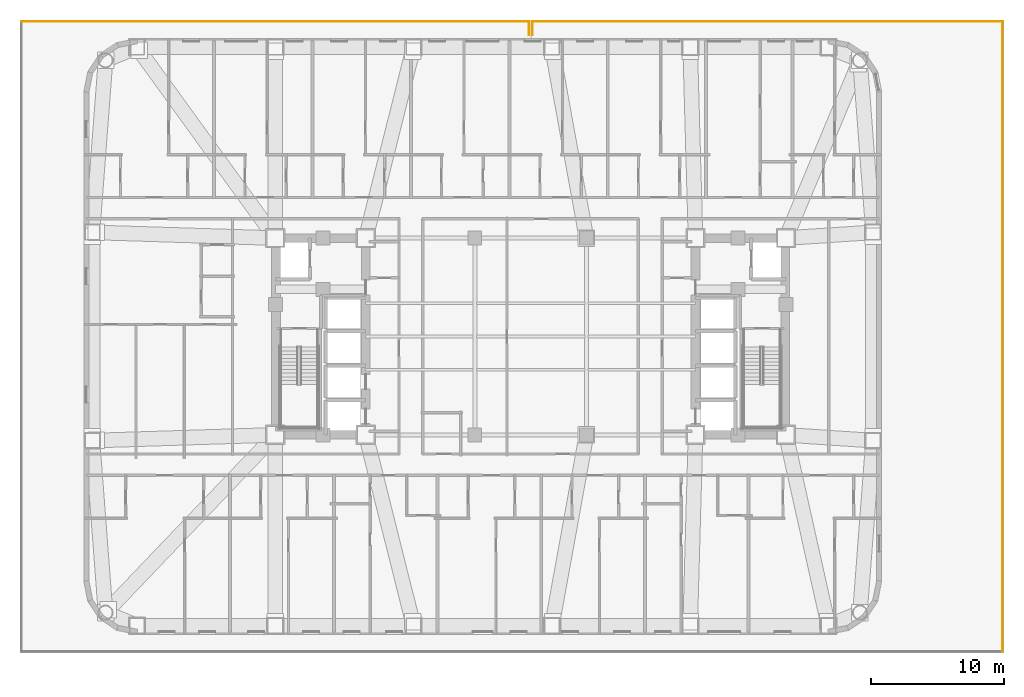
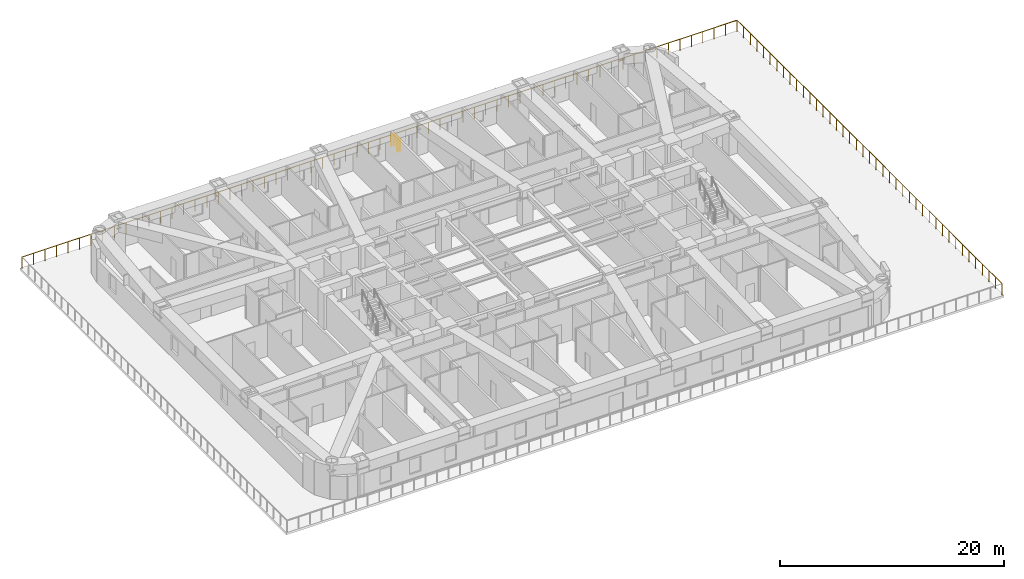
# One storey, part 15 of 15: 5 railings.
"""IFC4 building model written with IfcOpenShell, lengths in metres."""

import ifcopenshell
import ifcopenshell.guid

model = None  # the IFC model being written
_history = None  # IfcOwnerHistory: only IFC2X3 demands one
_inside = {}  # id of a spatial element -> (the spatial element, [elements in it])
_under = {}  # id of a project, library or spatial element -> (it, [spatial elements below it])
_declared = {}  # id of a project -> (the project, [libraries it declares])
_typed = {}  # id of a type object -> (the type object, [elements of that type])
_made_of = {}  # id of a material, layer set ... -> (it, [elements and type objects made of it])


def new_model(schema):
    """Start an empty IFC model of exactly this schema.

    Asked for "IFC4X3", IfcOpenShell would pick the latest addendum, in which some entities
    have other attributes; the version numbers below select the first issue.
    IFC2X3 requires an IfcOwnerHistory on every rooted entity: one is made here for all.
    """
    global model, _history
    if schema == "IFC4X3":
        model = ifcopenshell.file(schema_version=(4, 3, 0, 0))
    else:
        model = ifcopenshell.file(schema=schema)
    _inside.clear()
    _under.clear()
    _declared.clear()
    _typed.clear()
    _made_of.clear()
    _history = None
    if model.schema == "IFC2X3":
        org = make("IfcOrganization", Name="unknown")
        user = make(
            "IfcPersonAndOrganization",
            ThePerson=make("IfcPerson", FamilyName="unknown"),
            TheOrganization=org,
        )
        app = make(
            "IfcApplication",
            ApplicationDeveloper=org,
            Version="unknown",
            ApplicationFullName="unknown",
            ApplicationIdentifier="unknown",
        )
        _history = make(
            "IfcOwnerHistory",
            OwningUser=user,
            OwningApplication=app,
            ChangeAction="ADDED",
            CreationDate=0,
        )
    return model


def make(cls, **values):
    """One entity of the class cls with the attributes given. An attribute that is None is left unset."""
    return model.create_entity(
        cls, **{name: value for name, value in values.items() if value is not None}
    )


def rooted(cls, **values):
    """An entity with a GlobalId (a new one), such as an element, a storey or a relation."""
    return make(cls, GlobalId=ifcopenshell.guid.new(), OwnerHistory=_history, **values)


def si_unit(unit_type, name, prefix=None):
    """IfcSIUnit, for example si_unit("LENGTHUNIT", "METRE", prefix="MILLI")."""
    return make("IfcSIUnit", UnitType=unit_type, Prefix=prefix, Name=name)


def assignment(units):
    """IfcUnitAssignment: the units of a project."""
    return None if units is None else make("IfcUnitAssignment", Units=units)


def point(xyz):
    """IfcCartesianPoint."""
    return None if xyz is None else make("IfcCartesianPoint", Coordinates=xyz)


def direction(xyz):
    """IfcDirection."""
    return None if xyz is None else make("IfcDirection", DirectionRatios=xyz)


def frame(location, z_axis=None, x_axis=None):
    """IfcAxis2Placement3D, a coordinate frame: its origin and axes. An axis left out is left unset."""
    return make(
        "IfcAxis2Placement3D",
        Location=point(location),
        Axis=direction(z_axis),
        RefDirection=direction(x_axis),
    )


def frame_2d(location, x_axis=None):
    """IfcAxis2Placement2D, a coordinate frame in the plane: its origin and x axis."""
    return make(
        "IfcAxis2Placement2D", Location=point(location), RefDirection=direction(x_axis)
    )


def origin():
    """The frame at (0, 0, 0) with its axes left unset."""
    return frame((0.0, 0.0, 0.0))


def origin_2d():
    """The frame at (0, 0) in the plane with its x axis left unset."""
    return frame_2d((0.0, 0.0))


def place(relative_to, where):
    """IfcLocalPlacement: puts the frame where relative to a parent placement (None: the world)."""
    return make(
        "IfcLocalPlacement", PlacementRelTo=relative_to, RelativePlacement=where
    )


def context(
    kind, dimensions, precision=None, world=None, true_north=None, identifier=None
):
    """IfcGeometricRepresentationContext, for example the 3D "Model" context."""
    return make(
        "IfcGeometricRepresentationContext",
        ContextIdentifier=identifier,
        ContextType=kind,
        CoordinateSpaceDimension=dimensions,
        Precision=precision,
        WorldCoordinateSystem=world,
        TrueNorth=true_north,
    )


def subcontext(parent, identifier, kind, view, scale=None):
    """IfcGeometricRepresentationSubContext, for example "Body" below "Model"."""
    return make(
        "IfcGeometricRepresentationSubContext",
        ContextIdentifier=identifier,
        ContextType=kind,
        ParentContext=parent,
        TargetScale=scale,
        TargetView=view,
    )


def project(units=None, contexts=None):
    """IfcProject with its units and contexts."""
    return rooted(
        "IfcProject",
        Name="project",
        RepresentationContexts=contexts,
        UnitsInContext=assignment(units),
    )


def spatial(cls, under=None, at=None, **own):
    """A site, building, storey or space (cls), placed at a placement, below another one or the project."""
    s = rooted(cls, ObjectPlacement=at, **own)
    if under is not None:
        _under.setdefault(under.id(), (under, []))[1].append(s)
    return s


def profile(cls, at=None, kind="AREA", **sizes):
    """A parametric profile (cls). Its sizes go by their IFC names, for example OverallWidth=200.0."""
    return make(cls, ProfileType=kind, Position=at, **sizes)


def circle(**sizes):
    """IfcCircleProfileDef."""
    return profile("IfcCircleProfileDef", **sizes)


def extrude(swept, where, along, depth):
    """IfcExtrudedAreaSolid: the profile swept, set in the frame where, extruded along a direction by depth."""
    return make(
        "IfcExtrudedAreaSolid",
        SweptArea=swept,
        Position=where,
        ExtrudedDirection=direction(along),
        Depth=depth,
    )


def shape(context_of_items, identifier, shape_type, items):
    """IfcShapeRepresentation: the items that make up one representation, for example the "Body"."""
    return make(
        "IfcShapeRepresentation",
        ContextOfItems=context_of_items,
        RepresentationIdentifier=identifier,
        RepresentationType=shape_type,
        Items=items,
    )


def material(Name=None, Category=None):
    """IfcMaterial."""
    return make("IfcMaterial", Name=Name, Category=Category)


def made_of(thing, what):
    """Note that an element or type object is made of a material, layer set ...; save() writes the relation."""
    if what is not None:
        _made_of.setdefault(what.id(), (what, []))[1].append(thing)
    return thing


def type_object(cls, material=None, **own):
    """A type object (cls), such as IfcWallType, which elements share."""
    return made_of(rooted(cls, **own), material)


def element(
    cls,
    number,
    at=None,
    inside=None,
    cuts=None,
    type_object=None,
    material=None,
    context=None,
    identifier="Body",
    shape_type=None,
    held_by="IfcProductDefinitionShape",
    body=None,
    shapes=None,
    **own,
):
    """One element of the class cls, such as IfcWall. Its Tag is "e" and its number.

    at: its placement. inside: the storey or other place that contains it. cuts: it is an
    opening in that element (IfcRelVoidsElement). A single representation is given by context,
    identifier, shape_type and body (its items); several are given by shapes. held_by: the class
    of the entity that holds the representations. save() writes the other relations.
    """
    e = rooted(cls, Tag="e%d" % number, ObjectPlacement=at, **own)
    if body is not None:
        shapes = [shape(context, identifier, shape_type, body)]
    if shapes is not None:
        e.Representation = make(held_by, Representations=shapes)
    if inside is not None:
        _inside.setdefault(inside.id(), (inside, []))[1].append(e)
    if cuts is not None:
        rooted(
            "IfcRelVoidsElement", RelatingBuildingElement=cuts, RelatedOpeningElement=e
        )
    if type_object is not None:
        _typed.setdefault(type_object.id(), (type_object, []))[1].append(e)
    return made_of(e, material)


def aggregate(whole, parts):
    """IfcRelAggregates: a whole, such as a stair, and the parts it consists of."""
    return rooted("IfcRelAggregates", RelatingObject=whole, RelatedObjects=parts)


def save(model, path):
    """Write the relations noted so far, then the file.

    IfcRelAggregates (storeys below a building ...), IfcRelContainedInSpatialStructure (elements
    in a storey), IfcRelDefinesByType, IfcRelAssociatesMaterial and IfcRelDeclares: one each for
    every whole, place, type object, material and project.
    """
    for whole, parts in _under.values():
        aggregate(whole, parts)
    for where, things in _inside.values():
        rooted(
            "IfcRelContainedInSpatialStructure",
            RelatedElements=things,
            RelatingStructure=where,
        )
    for kind, things in _typed.values():
        rooted("IfcRelDefinesByType", RelatedObjects=things, RelatingType=kind)
    for what, things in _made_of.values():
        rooted("IfcRelAssociatesMaterial", RelatedObjects=things, RelatingMaterial=what)
    for by, libraries in _declared.values():
        rooted("IfcRelDeclares", RelatingContext=by, RelatedDefinitions=libraries)
    model.write(path)


model = new_model("IFC4")

# Units and contexts
model_context = context("Model", 3, precision=1e-05, world=origin(), true_north=direction((0.0, 1.0)))
body_context = subcontext(model_context, "Body", "Model", "MODEL_VIEW")
ifc_project = project(units=[si_unit("LENGTHUNIT", "METRE"), si_unit("AREAUNIT", "SQUARE_METRE"), si_unit("VOLUMEUNIT", "CUBIC_METRE"), si_unit("PLANEANGLEUNIT", "RADIAN"), si_unit("MASSUNIT", "GRAM", prefix="KILO")], contexts=[model_context])

# Site, building, storey
site_placement = place(None, origin())
site = spatial("IfcSite", under=ifc_project, at=site_placement, CompositionType="ELEMENT")
building_placement = place(site_placement, origin())
building = spatial("IfcBuilding", under=site, at=building_placement, Name="Voryun Gate Residences", CompositionType="ELEMENT")
storey_placement = place(building_placement, frame((0.0, 0.0, 26.0)))
storey = spatial("IfcBuildingStorey", under=building, at=storey_placement, Name="L05", CompositionType="ELEMENT", Elevation=26.0)

# Railings
ifc_material = material(Name="Anodised aluminium", Category="aluminium")
railing_type = type_object("IfcRailingType", Name="RAIL_TERRACE_GUARD_1250", PredefinedType="GUARDRAIL", material=ifc_material)
railing_1_placement = place(storey_placement, frame((-0.135009765625, 23.679931640625, 0.0)))
element("IfcRailing", 1, at=railing_1_placement, inside=storey, type_object=railing_type, Name="Terrace guard RL-L05-P1L1-01", PredefinedType="GUARDRAIL", context=body_context, shape_type="SweptSolid", body=[
    extrude(circle(Radius=0.02392578125, at=origin_2d()), frame((0.0, 0.0, 1.22607421875), z_axis=(0.0, -1.0, 0.0), x_axis=(1.0, 0.0, 0.0)), (0.0, 0.0, 1.0), 1.0),
    extrude(circle(Radius=0.02099609375, at=origin_2d()), origin(), (0.0, 0.0, 1.0), 1.201904296875),
    extrude(circle(Radius=0.02099609375, at=origin_2d()), frame((0.0, -1.0, 0.0)), (0.0, 0.0, 1.0), 1.201904296875),
])
railing_2_placement = place(storey_placement, frame((0.135009765625, 22.679931640625, 0.0)))
element("IfcRailing", 2, at=railing_2_placement, inside=storey, type_object=railing_type, Name="Terrace guard RL-L05-P1L2-01", PredefinedType="GUARDRAIL", context=body_context, shape_type="SweptSolid", body=[
    extrude(circle(Radius=0.02392578125, at=origin_2d()), frame((0.0, 0.0, 1.22607421875), z_axis=(0.0, 1.0, 0.0), x_axis=(-1.0, 0.0, 0.0)), (0.0, 0.0, 1.0), 1.0),
    extrude(circle(Radius=0.02099609375, at=origin_2d()), origin(), (0.0, 0.0, 1.0), 1.201904296875),
    extrude(circle(Radius=0.02099609375, at=origin_2d()), frame((0.0, 1.0, 0.0)), (0.0, 0.0, 1.0), 1.201904296875),
])
railing_3_placement = place(storey_placement, frame((0.135009765625, 23.679931640625, 0.0)))
element("IfcRailing", 3, at=railing_3_placement, inside=storey, type_object=railing_type, Name="Terrace guard RL-L05-P1L2-02", PredefinedType="GUARDRAIL", context=body_context, shape_type="SweptSolid", body=[
    extrude(circle(Radius=0.02392578125, at=origin_2d()), frame((0.0, 0.0, 1.22607421875), z_axis=(1.0, 0.0, 0.0), x_axis=(0.0, 1.0, 0.0)), (0.0, 0.0, 1.0), 35.344970703125),
    extrude(circle(Radius=0.02099609375, at=origin_2d()), origin(), (0.0, 0.0, 1.0), 1.201904296875),
    extrude(circle(Radius=0.02099609375, at=origin_2d()), frame((1.17822265625, 0.0, 0.0)), (0.0, 0.0, 1.0), 1.201904296875),
    extrude(circle(Radius=0.02099609375, at=origin_2d()), frame((2.3564453125, 0.0, 0.0)), (0.0, 0.0, 1.0), 1.201904296875),
    extrude(circle(Radius=0.02099609375, at=origin_2d()), frame((3.534423828125, 0.0, 0.0)), (0.0, 0.0, 1.0), 1.201904296875),
    extrude(circle(Radius=0.02099609375, at=origin_2d()), frame((4.712646484375, 0.0, 0.0)), (0.0, 0.0, 1.0), 1.201904296875),
    extrude(circle(Radius=0.02099609375, at=origin_2d()), frame((5.890869140625, 0.0, 0.0)), (0.0, 0.0, 1.0), 1.201904296875),
    extrude(circle(Radius=0.02099609375, at=origin_2d()), frame((7.069091796875, 0.0, 0.0)), (0.0, 0.0, 1.0), 1.201904296875),
    extrude(circle(Radius=0.02099609375, at=origin_2d()), frame((8.2470703125, 0.0, 0.0)), (0.0, 0.0, 1.0), 1.201904296875),
    extrude(circle(Radius=0.02099609375, at=origin_2d()), frame((9.42529296875, 0.0, 0.0)), (0.0, 0.0, 1.0), 1.201904296875),
    extrude(circle(Radius=0.02099609375, at=origin_2d()), frame((10.603515625, 0.0, 0.0)), (0.0, 0.0, 1.0), 1.201904296875),
    extrude(circle(Radius=0.02099609375, at=origin_2d()), frame((11.78173828125, 0.0, 0.0)), (0.0, 0.0, 1.0), 1.201904296875),
    extrude(circle(Radius=0.02099609375, at=origin_2d()), frame((12.959716796875, 0.0, 0.0)), (0.0, 0.0, 1.0), 1.201904296875),
    extrude(circle(Radius=0.02099609375, at=origin_2d()), frame((14.137939453125, 0.0, 0.0)), (0.0, 0.0, 1.0), 1.201904296875),
    extrude(circle(Radius=0.02099609375, at=origin_2d()), frame((15.316162109375, 0.0, 0.0)), (0.0, 0.0, 1.0), 1.201904296875),
    extrude(circle(Radius=0.02099609375, at=origin_2d()), frame((16.494384765625, 0.0, 0.0)), (0.0, 0.0, 1.0), 1.201904296875),
    extrude(circle(Radius=0.02099609375, at=origin_2d()), frame((17.67236328125, 0.0, 0.0)), (0.0, 0.0, 1.0), 1.201904296875),
    extrude(circle(Radius=0.02099609375, at=origin_2d()), frame((18.8505859375, 0.0, 0.0)), (0.0, 0.0, 1.0), 1.201904296875),
    extrude(circle(Radius=0.02099609375, at=origin_2d()), frame((20.02880859375, 0.0, 0.0)), (0.0, 0.0, 1.0), 1.201904296875),
    extrude(circle(Radius=0.02099609375, at=origin_2d()), frame((21.20703125, 0.0, 0.0)), (0.0, 0.0, 1.0), 1.201904296875),
    extrude(circle(Radius=0.02099609375, at=origin_2d()), frame((22.38525390625, 0.0, 0.0)), (0.0, 0.0, 1.0), 1.201904296875),
    extrude(circle(Radius=0.02099609375, at=origin_2d()), frame((23.563232421875, 0.0, 0.0)), (0.0, 0.0, 1.0), 1.201904296875),
    extrude(circle(Radius=0.02099609375, at=origin_2d()), frame((24.741455078125, 0.0, 0.0)), (0.0, 0.0, 1.0), 1.201904296875),
    extrude(circle(Radius=0.02099609375, at=origin_2d()), frame((25.919677734375, 0.0, 0.0)), (0.0, 0.0, 1.0), 1.201904296875),
    extrude(circle(Radius=0.02099609375, at=origin_2d()), frame((27.097900390625, 0.0, 0.0)), (0.0, 0.0, 1.0), 1.201904296875),
    extrude(circle(Radius=0.02099609375, at=origin_2d()), frame((28.27587890625, 0.0, 0.0)), (0.0, 0.0, 1.0), 1.201904296875),
    extrude(circle(Radius=0.02099609375, at=origin_2d()), frame((29.4541015625, 0.0, 0.0)), (0.0, 0.0, 1.0), 1.201904296875),
    extrude(circle(Radius=0.02099609375, at=origin_2d()), frame((30.63232421875, 0.0, 0.0)), (0.0, 0.0, 1.0), 1.201904296875),
    extrude(circle(Radius=0.02099609375, at=origin_2d()), frame((31.810546875, 0.0, 0.0)), (0.0, 0.0, 1.0), 1.201904296875),
    extrude(circle(Radius=0.02099609375, at=origin_2d()), frame((32.988525390625, 0.0, 0.0)), (0.0, 0.0, 1.0), 1.201904296875),
    extrude(circle(Radius=0.02099609375, at=origin_2d()), frame((34.166748046875, 0.0, 0.0)), (0.0, 0.0, 1.0), 1.201904296875),
    extrude(circle(Radius=0.02099609375, at=origin_2d()), frame((35.344970703125, 0.0, 0.0)), (0.0, 0.0, 1.0), 1.201904296875),
])
railing_4_placement = place(storey_placement, frame((35.47998046875, 23.679931640625, 0.0)))
element("IfcRailing", 4, at=railing_4_placement, inside=storey, type_object=railing_type, Name="Terrace guard RL-L05-P1L2-03", PredefinedType="GUARDRAIL", context=body_context, shape_type="SweptSolid", body=[
    extrude(circle(Radius=0.02392578125, at=origin_2d()), frame((0.0, 0.0, 1.22607421875), z_axis=(0.0, -1.0, 0.0), x_axis=(1.0, 0.0, 0.0)), (0.0, 0.0, 1.0), 47.35986328125),
    extrude(circle(Radius=0.02099609375, at=origin_2d()), origin(), (0.0, 0.0, 1.0), 1.201904296875),
    extrude(circle(Radius=0.02099609375, at=origin_2d()), frame((0.0, -1.18408203125, 0.0)), (0.0, 0.0, 1.0), 1.201904296875),
    extrude(circle(Radius=0.02099609375, at=origin_2d()), frame((0.0, -2.367919921875, 0.0)), (0.0, 0.0, 1.0), 1.201904296875),
    extrude(circle(Radius=0.02099609375, at=origin_2d()), frame((0.0, -3.552001953125, 0.0)), (0.0, 0.0, 1.0), 1.201904296875),
    extrude(circle(Radius=0.02099609375, at=origin_2d()), frame((0.0, -4.736083984375, 0.0)), (0.0, 0.0, 1.0), 1.201904296875),
    extrude(circle(Radius=0.02099609375, at=origin_2d()), frame((0.0, -5.919921875, 0.0)), (0.0, 0.0, 1.0), 1.201904296875),
    extrude(circle(Radius=0.02099609375, at=origin_2d()), frame((0.0, -7.10400390625, 0.0)), (0.0, 0.0, 1.0), 1.201904296875),
    extrude(circle(Radius=0.02099609375, at=origin_2d()), frame((0.0, -8.2880859375, 0.0)), (0.0, 0.0, 1.0), 1.201904296875),
    extrude(circle(Radius=0.02099609375, at=origin_2d()), frame((0.0, -9.471923828125, 0.0)), (0.0, 0.0, 1.0), 1.201904296875),
    extrude(circle(Radius=0.02099609375, at=origin_2d()), frame((0.0, -10.656005859375, 0.0)), (0.0, 0.0, 1.0), 1.201904296875),
    extrude(circle(Radius=0.02099609375, at=origin_2d()), frame((0.0, -11.83984375, 0.0)), (0.0, 0.0, 1.0), 1.201904296875),
    extrude(circle(Radius=0.02099609375, at=origin_2d()), frame((0.0, -13.02392578125, 0.0)), (0.0, 0.0, 1.0), 1.201904296875),
    extrude(circle(Radius=0.02099609375, at=origin_2d()), frame((0.0, -14.2080078125, 0.0)), (0.0, 0.0, 1.0), 1.201904296875),
    extrude(circle(Radius=0.02099609375, at=origin_2d()), frame((0.0, -15.391845703125, 0.0)), (0.0, 0.0, 1.0), 1.201904296875),
    extrude(circle(Radius=0.02099609375, at=origin_2d()), frame((0.0, -16.575927734375, 0.0)), (0.0, 0.0, 1.0), 1.201904296875),
    extrude(circle(Radius=0.02099609375, at=origin_2d()), frame((0.0, -17.760009765625, 0.0)), (0.0, 0.0, 1.0), 1.201904296875),
    extrude(circle(Radius=0.02099609375, at=origin_2d()), frame((0.0, -18.94384765625, 0.0)), (0.0, 0.0, 1.0), 1.201904296875),
    extrude(circle(Radius=0.02099609375, at=origin_2d()), frame((0.0, -20.1279296875, 0.0)), (0.0, 0.0, 1.0), 1.201904296875),
    extrude(circle(Radius=0.02099609375, at=origin_2d()), frame((0.0, -21.31201171875, 0.0)), (0.0, 0.0, 1.0), 1.201904296875),
    extrude(circle(Radius=0.02099609375, at=origin_2d()), frame((0.0, -22.495849609375, 0.0)), (0.0, 0.0, 1.0), 1.201904296875),
    extrude(circle(Radius=0.02099609375, at=origin_2d()), frame((0.0, -23.679931640625, 0.0)), (0.0, 0.0, 1.0), 1.201904296875),
    extrude(circle(Radius=0.02099609375, at=origin_2d()), frame((0.0, -24.864013671875, 0.0)), (0.0, 0.0, 1.0), 1.201904296875),
    extrude(circle(Radius=0.02099609375, at=origin_2d()), frame((0.0, -26.0478515625, 0.0)), (0.0, 0.0, 1.0), 1.201904296875),
    extrude(circle(Radius=0.02099609375, at=origin_2d()), frame((0.0, -27.23193359375, 0.0)), (0.0, 0.0, 1.0), 1.201904296875),
    extrude(circle(Radius=0.02099609375, at=origin_2d()), frame((0.0, -28.416015625, 0.0)), (0.0, 0.0, 1.0), 1.201904296875),
    extrude(circle(Radius=0.02099609375, at=origin_2d()), frame((0.0, -29.599853515625, 0.0)), (0.0, 0.0, 1.0), 1.201904296875),
    extrude(circle(Radius=0.02099609375, at=origin_2d()), frame((0.0, -30.783935546875, 0.0)), (0.0, 0.0, 1.0), 1.201904296875),
    extrude(circle(Radius=0.02099609375, at=origin_2d()), frame((0.0, -31.968017578125, 0.0)), (0.0, 0.0, 1.0), 1.201904296875),
    extrude(circle(Radius=0.02099609375, at=origin_2d()), frame((0.0, -33.15185546875, 0.0)), (0.0, 0.0, 1.0), 1.201904296875),
    extrude(circle(Radius=0.02099609375, at=origin_2d()), frame((0.0, -34.3359375, 0.0)), (0.0, 0.0, 1.0), 1.201904296875),
    extrude(circle(Radius=0.02099609375, at=origin_2d()), frame((0.0, -35.52001953125, 0.0)), (0.0, 0.0, 1.0), 1.201904296875),
    extrude(circle(Radius=0.02099609375, at=origin_2d()), frame((0.0, -36.703857421875, 0.0)), (0.0, 0.0, 1.0), 1.201904296875),
    extrude(circle(Radius=0.02099609375, at=origin_2d()), frame((0.0, -37.887939453125, 0.0)), (0.0, 0.0, 1.0), 1.201904296875),
    extrude(circle(Radius=0.02099609375, at=origin_2d()), frame((0.0, -39.07177734375, 0.0)), (0.0, 0.0, 1.0), 1.201904296875),
    extrude(circle(Radius=0.02099609375, at=origin_2d()), frame((0.0, -40.255859375, 0.0)), (0.0, 0.0, 1.0), 1.201904296875),
    extrude(circle(Radius=0.02099609375, at=origin_2d()), frame((0.0, -41.43994140625, 0.0)), (0.0, 0.0, 1.0), 1.201904296875),
    extrude(circle(Radius=0.02099609375, at=origin_2d()), frame((0.0, -42.623779296875, 0.0)), (0.0, 0.0, 1.0), 1.201904296875),
    extrude(circle(Radius=0.02099609375, at=origin_2d()), frame((0.0, -43.807861328125, 0.0)), (0.0, 0.0, 1.0), 1.201904296875),
    extrude(circle(Radius=0.02099609375, at=origin_2d()), frame((0.0, -44.991943359375, 0.0)), (0.0, 0.0, 1.0), 1.201904296875),
    extrude(circle(Radius=0.02099609375, at=origin_2d()), frame((0.0, -46.17578125, 0.0)), (0.0, 0.0, 1.0), 1.201904296875),
    extrude(circle(Radius=0.02099609375, at=origin_2d()), frame((0.0, -47.35986328125, 0.0)), (0.0, 0.0, 1.0), 1.201904296875),
])
railing_5_placement = place(storey_placement, frame((-38.280029296875, 23.679931640625, 0.0)))
element("IfcRailing", 5, at=railing_5_placement, inside=storey, type_object=railing_type, Name="Terrace guard RL-L05-P1L2-06", PredefinedType="GUARDRAIL", context=body_context, shape_type="SweptSolid", body=[
    extrude(circle(Radius=0.02392578125, at=origin_2d()), frame((0.0, 0.0, 1.22607421875), z_axis=(1.0, 0.0, 0.0), x_axis=(0.0, 1.0, 0.0)), (0.0, 0.0, 1.0), 38.14501953125),
    extrude(circle(Radius=0.02099609375, at=origin_2d()), origin(), (0.0, 0.0, 1.0), 1.201904296875),
    extrude(circle(Radius=0.02099609375, at=origin_2d()), frame((1.192138671875, 0.0, 0.0)), (0.0, 0.0, 1.0), 1.201904296875),
    extrude(circle(Radius=0.02099609375, at=origin_2d()), frame((2.384033203125, 0.0, 0.0)), (0.0, 0.0, 1.0), 1.201904296875),
    extrude(circle(Radius=0.02099609375, at=origin_2d()), frame((3.576171875, 0.0, 0.0)), (0.0, 0.0, 1.0), 1.201904296875),
    extrude(circle(Radius=0.02099609375, at=origin_2d()), frame((4.76806640625, 0.0, 0.0)), (0.0, 0.0, 1.0), 1.201904296875),
    extrude(circle(Radius=0.02099609375, at=origin_2d()), frame((5.960205078125, 0.0, 0.0)), (0.0, 0.0, 1.0), 1.201904296875),
    extrude(circle(Radius=0.02099609375, at=origin_2d()), frame((7.152099609375, 0.0, 0.0)), (0.0, 0.0, 1.0), 1.201904296875),
    extrude(circle(Radius=0.02099609375, at=origin_2d()), frame((8.34423828125, 0.0, 0.0)), (0.0, 0.0, 1.0), 1.201904296875),
    extrude(circle(Radius=0.02099609375, at=origin_2d()), frame((9.5361328125, 0.0, 0.0)), (0.0, 0.0, 1.0), 1.201904296875),
    extrude(circle(Radius=0.02099609375, at=origin_2d()), frame((10.728271484375, 0.0, 0.0)), (0.0, 0.0, 1.0), 1.201904296875),
    extrude(circle(Radius=0.02099609375, at=origin_2d()), frame((11.92041015625, 0.0, 0.0)), (0.0, 0.0, 1.0), 1.201904296875),
    extrude(circle(Radius=0.02099609375, at=origin_2d()), frame((13.1123046875, 0.0, 0.0)), (0.0, 0.0, 1.0), 1.201904296875),
    extrude(circle(Radius=0.02099609375, at=origin_2d()), frame((14.304443359375, 0.0, 0.0)), (0.0, 0.0, 1.0), 1.201904296875),
    extrude(circle(Radius=0.02099609375, at=origin_2d()), frame((15.496337890625, 0.0, 0.0)), (0.0, 0.0, 1.0), 1.201904296875),
    extrude(circle(Radius=0.02099609375, at=origin_2d()), frame((16.6884765625, 0.0, 0.0)), (0.0, 0.0, 1.0), 1.201904296875),
    extrude(circle(Radius=0.02099609375, at=origin_2d()), frame((17.88037109375, 0.0, 0.0)), (0.0, 0.0, 1.0), 1.201904296875),
    extrude(circle(Radius=0.02099609375, at=origin_2d()), frame((19.072509765625, 0.0, 0.0)), (0.0, 0.0, 1.0), 1.201904296875),
    extrude(circle(Radius=0.02099609375, at=origin_2d()), frame((20.2646484375, 0.0, 0.0)), (0.0, 0.0, 1.0), 1.201904296875),
    extrude(circle(Radius=0.02099609375, at=origin_2d()), frame((21.45654296875, 0.0, 0.0)), (0.0, 0.0, 1.0), 1.201904296875),
    extrude(circle(Radius=0.02099609375, at=origin_2d()), frame((22.648681640625, 0.0, 0.0)), (0.0, 0.0, 1.0), 1.201904296875),
    extrude(circle(Radius=0.02099609375, at=origin_2d()), frame((23.840576171875, 0.0, 0.0)), (0.0, 0.0, 1.0), 1.201904296875),
    extrude(circle(Radius=0.02099609375, at=origin_2d()), frame((25.03271484375, 0.0, 0.0)), (0.0, 0.0, 1.0), 1.201904296875),
    extrude(circle(Radius=0.02099609375, at=origin_2d()), frame((26.224609375, 0.0, 0.0)), (0.0, 0.0, 1.0), 1.201904296875),
    extrude(circle(Radius=0.02099609375, at=origin_2d()), frame((27.416748046875, 0.0, 0.0)), (0.0, 0.0, 1.0), 1.201904296875),
    extrude(circle(Radius=0.02099609375, at=origin_2d()), frame((28.60888671875, 0.0, 0.0)), (0.0, 0.0, 1.0), 1.201904296875),
    extrude(circle(Radius=0.02099609375, at=origin_2d()), frame((29.80078125, 0.0, 0.0)), (0.0, 0.0, 1.0), 1.201904296875),
    extrude(circle(Radius=0.02099609375, at=origin_2d()), frame((30.992919921875, 0.0, 0.0)), (0.0, 0.0, 1.0), 1.201904296875),
    extrude(circle(Radius=0.02099609375, at=origin_2d()), frame((32.184814453125, 0.0, 0.0)), (0.0, 0.0, 1.0), 1.201904296875),
    extrude(circle(Radius=0.02099609375, at=origin_2d()), frame((33.376953125, 0.0, 0.0)), (0.0, 0.0, 1.0), 1.201904296875),
    extrude(circle(Radius=0.02099609375, at=origin_2d()), frame((34.56884765625, 0.0, 0.0)), (0.0, 0.0, 1.0), 1.201904296875),
    extrude(circle(Radius=0.02099609375, at=origin_2d()), frame((35.760986328125, 0.0, 0.0)), (0.0, 0.0, 1.0), 1.201904296875),
    extrude(circle(Radius=0.02099609375, at=origin_2d()), frame((36.952880859375, 0.0, 0.0)), (0.0, 0.0, 1.0), 1.201904296875),
    extrude(circle(Radius=0.02099609375, at=origin_2d()), frame((38.14501953125, 0.0, 0.0)), (0.0, 0.0, 1.0), 1.201904296875),
])

save(model, "model.ifc")
